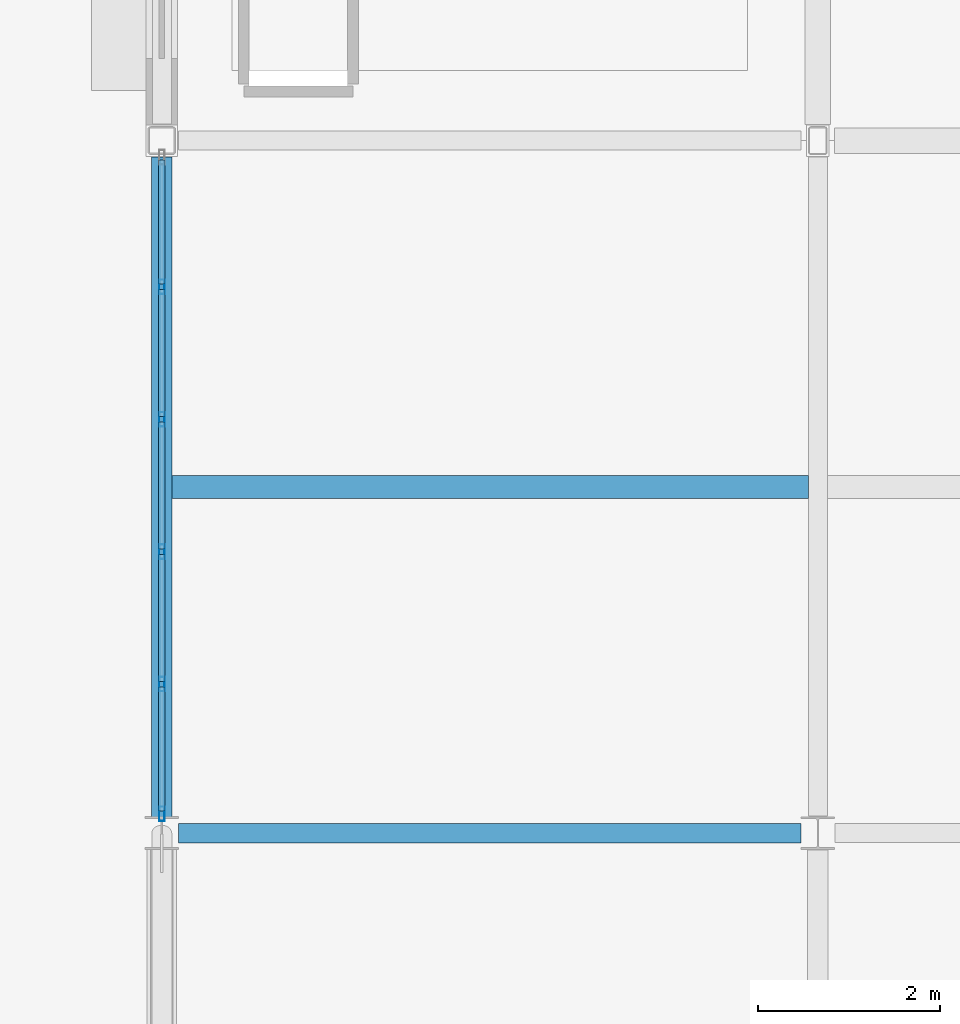
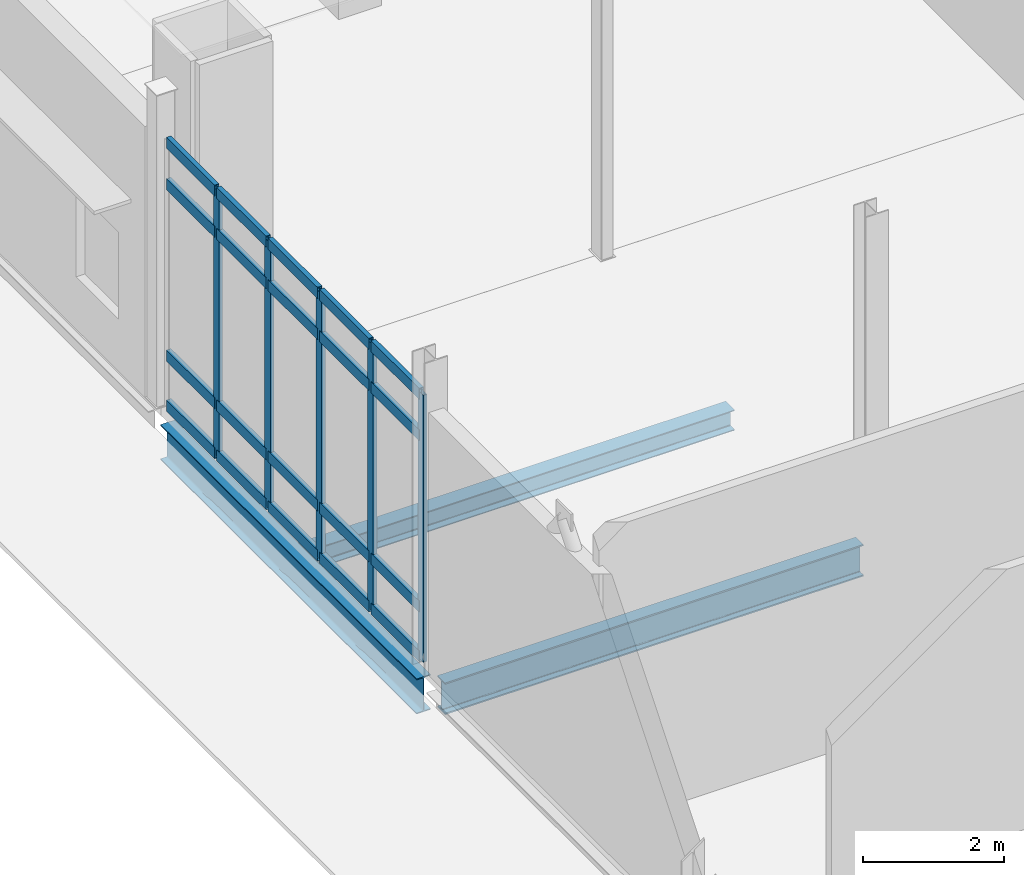
# One storey, part 66 of 229: 25 members, 3 beams, 1 element without a shape of its own.
"""IFC4 building model written with IfcOpenShell, lengths in metres."""

from ifc_helpers import new_model, si_unit, direction, frame, origin, origin_2d, place, context, subcontext, project, spatial, hollow_rectangle, i_section, extrude, material, layer, layer_set, material_profile, profile_set, type_object, element, aggregate, save


model = new_model("IFC4")

# Units and contexts
model_context = context("Model", 3, precision=1e-05, world=origin(), true_north=direction((0.0, 1.0)))
body_context = subcontext(model_context, "Body", "Model", "MODEL_VIEW")
ifc_project = project(units=[si_unit("LENGTHUNIT", "METRE"), si_unit("AREAUNIT", "SQUARE_METRE"), si_unit("VOLUMEUNIT", "CUBIC_METRE"), si_unit("PLANEANGLEUNIT", "RADIAN"), si_unit("MASSUNIT", "GRAM", prefix="KILO")], contexts=[model_context])

# Site, building, storey
site_placement = place(None, origin())
site = spatial("IfcSite", under=ifc_project, at=site_placement, CompositionType="ELEMENT")
building_placement = place(site_placement, origin())
building = spatial("IfcBuilding", under=site, at=building_placement, Name="Calvrana Isthmian Art Gallery", CompositionType="ELEMENT")
storey_placement = place(building_placement, origin())
storey = spatial("IfcBuildingStorey", under=building, at=storey_placement, Name="L00", CompositionType="ELEMENT", Elevation=0.0)

# Beams
ifc_material_1 = material(Name="Steel ASTM A992 Gr 50", Category="steel")
ifc_material_profile_1 = material_profile(ifc_material_1, i_section(OverallWidth=0.214111328125, OverallDepth=0.549072265625, WebThickness=0.0146484375, FlangeThickness=0.023681640625, FilletRadius=0.02099609375, at=origin_2d()), Name="W21X93")
ifc_profile_set_1 = profile_set([ifc_material_profile_1], Name="Steel ASTM A992 Gr 50")
beam_type_1 = type_object("IfcBeamType", Name="BM-G-W21X93", PredefinedType="BEAM", material=ifc_profile_set_1)
beam_1_placement = place(storey_placement, frame((0.18408203125, 62.0, -0.5595703125), z_axis=(1.0, 0.0, 0.0), x_axis=(0.0, 1.0, 0.0)))
element("IfcBeam", 1, at=beam_1_placement, inside=storey, type_object=beam_type_1, Name="Girder X L00 01-02/I", PredefinedType="BEAM", context=body_context, shape_type="SweptSolid", body=[
    extrude(i_section(OverallWidth=0.214111328125, OverallDepth=0.549072265625, WebThickness=0.0146484375, FlangeThickness=0.023681640625, FilletRadius=0.02099609375, at=origin_2d()), origin(), (0.0, 0.0, 1.0), 6.829345703125),
])
ifc_material_profile_2 = material_profile(ifc_material_1, i_section(OverallWidth=0.22802734375, OverallDepth=0.60693359375, WebThickness=0.01123046875, FlangeThickness=0.017333984375, FilletRadius=0.02197265625, at=origin_2d()), Name="W24X76")
ifc_profile_set_2 = profile_set([ifc_material_profile_2], Name="Steel ASTM A992 Gr 50")
beam_type_2 = type_object("IfcBeamType", Name="BM-G-W24X76", PredefinedType="BEAM", material=ifc_profile_set_2)
beam_2_placement = place(storey_placement, frame((0.0, 62.177978515625, -0.58837890625), z_axis=(0.0, 1.0, 0.0), x_axis=(-1.0, 0.0, 0.0)))
element("IfcBeam", 2, at=beam_2_placement, inside=storey, type_object=beam_type_2, Name="Girder Y L00 01/I-J", PredefinedType="BEAM", context=body_context, shape_type="SweptSolid", body=[
    extrude(i_section(OverallWidth=0.22802734375, OverallDepth=0.60693359375, WebThickness=0.01123046875, FlangeThickness=0.017333984375, FilletRadius=0.02197265625, at=origin_2d()), origin(), (0.0, 0.0, 1.0), 7.240478515625),
])
ifc_material_profile_3 = material_profile(ifc_material_1, i_section(OverallWidth=0.25390625, OverallDepth=0.35302734375, WebThickness=0.009521484375, FlangeThickness=0.016357421875, FilletRadius=0.01806640625, at=origin_2d()), Name="W14X61")
ifc_profile_set_3 = profile_set([ifc_material_profile_3], Name="Steel ASTM A992 Gr 50")
beam_type_3 = type_object("IfcBeamType", Name="BM-J-W14X61", PredefinedType="JOIST", material=ifc_profile_set_3)
beam_3_placement = place(storey_placement, frame((0.114013671875, 65.800048828125, -0.46142578125), z_axis=(1.0, 0.0, 0.0), x_axis=(0.0, 1.0, 0.0)))
element("IfcBeam", 3, at=beam_3_placement, inside=storey, type_object=beam_type_3, Name="Composite joist L00 bay 00-08", PredefinedType="JOIST", context=body_context, shape_type="SweptSolid", body=[
    extrude(i_section(OverallWidth=0.25390625, OverallDepth=0.35302734375, WebThickness=0.009521484375, FlangeThickness=0.016357421875, FilletRadius=0.01806640625, at=origin_2d()), origin(), (0.0, 0.0, 1.0), 6.9814453125),
])

# Curtain wall, members
ifc_material_2 = material(Name="Anodized bronze aluminium 6063-T6", Category="aluminium")
ifc_layer = layer(ifc_material_2, 0.179931640625, Name="Anodized bronze aluminium 6063-T6")
ifc_layer_set = layer_set([ifc_layer], Name="Anodized bronze aluminium 6063-T6")
curtain_wall_type = type_object("IfcCurtainWallType", Name="CW-STICK-073X46", PredefinedType="NOTDEFINED", material=ifc_layer_set)
curtain_wall_placement = place(storey_placement, origin())
curtain_wall = element("IfcCurtainWall", 4, at=curtain_wall_placement, inside=storey, type_object=curtain_wall_type, Name="Curtain wall CW-049", PredefinedType="NOTDEFINED")
ifc_material_profile_4 = material_profile(ifc_material_2, hollow_rectangle(XDim=0.06005859375, YDim=0.159912109375, WallThickness=0.00390625, at=origin_2d()), Name="CWM60X160")
ifc_profile_set_4 = profile_set([ifc_material_profile_4], Name="Anodized bronze aluminium 6063-T6")
member_type_1 = type_object("IfcMemberType", Name="CWM-CWM60X160", PredefinedType="MULLION", material=ifc_profile_set_4)
member_1_placement = place(storey_placement, frame((0.0, 62.21142578125, 0.0), z_axis=(0.0, 0.0, 1.0), x_axis=(-1.0, 0.0, 0.0)))
member_1 = element("IfcMember", 5, at=member_1_placement, type_object=member_type_1, Name="CW-049 mullion 1", PredefinedType="MULLION", context=body_context, shape_type="SweptSolid", body=[
    extrude(hollow_rectangle(XDim=0.06005859375, YDim=0.159912109375, WallThickness=0.00390625, at=origin_2d()), origin(), (0.0, 0.0, 1.0), 4.60693359375),
])
member_2_placement = place(storey_placement, frame((0.0, 63.634765625, 0.0), z_axis=(0.0, 0.0, 1.0), x_axis=(-1.0, 0.0, 0.0)))
member_2 = element("IfcMember", 6, at=member_2_placement, type_object=member_type_1, Name="CW-049 mullion 2", PredefinedType="MULLION", context=body_context, shape_type="SweptSolid", body=[
    extrude(hollow_rectangle(XDim=0.06005859375, YDim=0.159912109375, WallThickness=0.00390625, at=origin_2d()), origin(), (0.0, 0.0, 1.0), 4.60693359375),
])
member_3_placement = place(storey_placement, frame((0.0, 65.087890625, 0.0), z_axis=(0.0, 0.0, 1.0), x_axis=(-1.0, 0.0, 0.0)))
member_3 = element("IfcMember", 7, at=member_3_placement, type_object=member_type_1, Name="CW-049 mullion 3", PredefinedType="MULLION", context=body_context, shape_type="SweptSolid", body=[
    extrude(hollow_rectangle(XDim=0.06005859375, YDim=0.159912109375, WallThickness=0.00390625, at=origin_2d()), origin(), (0.0, 0.0, 1.0), 4.60693359375),
])
member_4_placement = place(storey_placement, frame((0.0, 66.541259765625, 0.0), z_axis=(0.0, 0.0, 1.0), x_axis=(-1.0, 0.0, 0.0)))
member_4 = element("IfcMember", 8, at=member_4_placement, type_object=member_type_1, Name="CW-049 mullion 4", PredefinedType="MULLION", context=body_context, shape_type="SweptSolid", body=[
    extrude(hollow_rectangle(XDim=0.06005859375, YDim=0.159912109375, WallThickness=0.00390625, at=origin_2d()), origin(), (0.0, 0.0, 1.0), 4.60693359375),
])
member_5_placement = place(storey_placement, frame((0.0, 67.994384765625, 0.0), z_axis=(0.0, 0.0, 1.0), x_axis=(-1.0, 0.0, 0.0)))
member_5 = element("IfcMember", 9, at=member_5_placement, type_object=member_type_1, Name="CW-049 mullion 5", PredefinedType="MULLION", context=body_context, shape_type="SweptSolid", body=[
    extrude(hollow_rectangle(XDim=0.06005859375, YDim=0.159912109375, WallThickness=0.00390625, at=origin_2d()), origin(), (0.0, 0.0, 1.0), 4.60693359375),
])
ifc_material_profile_5 = material_profile(ifc_material_2, hollow_rectangle(XDim=0.074951171875, YDim=0.18994140625, WallThickness=0.00439453125, at=origin_2d()), Name="CWT75X190")
ifc_profile_set_5 = profile_set([ifc_material_profile_5], Name="Anodized bronze aluminium 6063-T6")
member_type_2 = type_object("IfcMemberType", Name="CWT-CWT75X190", PredefinedType="USERDEFINED", material=ifc_profile_set_5)
member_6_placement = place(storey_placement, frame((0.0, 62.241455078125, 0.03759765625), z_axis=(0.0, 1.0, 0.0), x_axis=(-1.0, 0.0, 0.0)))
member_6 = element("IfcMember", 10, at=member_6_placement, type_object=member_type_2, Name="CW-049 transom 1.1", ObjectType="TRANSOM", PredefinedType="USERDEFINED", context=body_context, shape_type="SweptSolid", body=[
    extrude(hollow_rectangle(XDim=0.074951171875, YDim=0.18994140625, WallThickness=0.00439453125, at=origin_2d()), origin(), (0.0, 0.0, 1.0), 1.36328125),
])
member_7_placement = place(storey_placement, frame((0.0, 62.241455078125, 0.89990234375), z_axis=(0.0, 1.0, 0.0), x_axis=(-1.0, 0.0, 0.0)))
member_7 = element("IfcMember", 11, at=member_7_placement, type_object=member_type_2, Name="CW-049 transom 1.2", ObjectType="TRANSOM", PredefinedType="USERDEFINED", context=body_context, shape_type="SweptSolid", body=[
    extrude(hollow_rectangle(XDim=0.074951171875, YDim=0.18994140625, WallThickness=0.00439453125, at=origin_2d()), origin(), (0.0, 0.0, 1.0), 1.36328125),
])
member_8_placement = place(storey_placement, frame((0.0, 62.241455078125, 3.85693359375), z_axis=(0.0, 1.0, 0.0), x_axis=(-1.0, 0.0, 0.0)))
member_8 = element("IfcMember", 12, at=member_8_placement, type_object=member_type_2, Name="CW-049 transom 1.3", ObjectType="TRANSOM", PredefinedType="USERDEFINED", context=body_context, shape_type="SweptSolid", body=[
    extrude(hollow_rectangle(XDim=0.074951171875, YDim=0.18994140625, WallThickness=0.00439453125, at=origin_2d()), origin(), (0.0, 0.0, 1.0), 1.36328125),
])
member_9_placement = place(storey_placement, frame((0.0, 62.241455078125, 4.569580078125), z_axis=(0.0, 1.0, 0.0), x_axis=(-1.0, 0.0, 0.0)))
member_9 = element("IfcMember", 13, at=member_9_placement, type_object=member_type_2, Name="CW-049 transom 1.4", ObjectType="TRANSOM", PredefinedType="USERDEFINED", context=body_context, shape_type="SweptSolid", body=[
    extrude(hollow_rectangle(XDim=0.074951171875, YDim=0.18994140625, WallThickness=0.00439453125, at=origin_2d()), origin(), (0.0, 0.0, 1.0), 1.36328125),
])
member_10_placement = place(storey_placement, frame((0.0, 63.664794921875, 0.03759765625), z_axis=(0.0, 1.0, 0.0), x_axis=(-1.0, 0.0, 0.0)))
member_10 = element("IfcMember", 14, at=member_10_placement, type_object=member_type_2, Name="CW-049 transom 2.1", ObjectType="TRANSOM", PredefinedType="USERDEFINED", context=body_context, shape_type="SweptSolid", body=[
    extrude(hollow_rectangle(XDim=0.074951171875, YDim=0.18994140625, WallThickness=0.00439453125, at=origin_2d()), origin(), (0.0, 0.0, 1.0), 1.39306640625),
])
member_11_placement = place(storey_placement, frame((0.0, 63.664794921875, 0.89990234375), z_axis=(0.0, 1.0, 0.0), x_axis=(-1.0, 0.0, 0.0)))
member_11 = element("IfcMember", 15, at=member_11_placement, type_object=member_type_2, Name="CW-049 transom 2.2", ObjectType="TRANSOM", PredefinedType="USERDEFINED", context=body_context, shape_type="SweptSolid", body=[
    extrude(hollow_rectangle(XDim=0.074951171875, YDim=0.18994140625, WallThickness=0.00439453125, at=origin_2d()), origin(), (0.0, 0.0, 1.0), 1.39306640625),
])
member_12_placement = place(storey_placement, frame((0.0, 63.664794921875, 3.85693359375), z_axis=(0.0, 1.0, 0.0), x_axis=(-1.0, 0.0, 0.0)))
member_12 = element("IfcMember", 16, at=member_12_placement, type_object=member_type_2, Name="CW-049 transom 2.3", ObjectType="TRANSOM", PredefinedType="USERDEFINED", context=body_context, shape_type="SweptSolid", body=[
    extrude(hollow_rectangle(XDim=0.074951171875, YDim=0.18994140625, WallThickness=0.00439453125, at=origin_2d()), origin(), (0.0, 0.0, 1.0), 1.39306640625),
])
member_13_placement = place(storey_placement, frame((0.0, 63.664794921875, 4.569580078125), z_axis=(0.0, 1.0, 0.0), x_axis=(-1.0, 0.0, 0.0)))
member_13 = element("IfcMember", 17, at=member_13_placement, type_object=member_type_2, Name="CW-049 transom 2.4", ObjectType="TRANSOM", PredefinedType="USERDEFINED", context=body_context, shape_type="SweptSolid", body=[
    extrude(hollow_rectangle(XDim=0.074951171875, YDim=0.18994140625, WallThickness=0.00439453125, at=origin_2d()), origin(), (0.0, 0.0, 1.0), 1.39306640625),
])
member_14_placement = place(storey_placement, frame((0.0, 65.117919921875, 0.03759765625), z_axis=(0.0, 1.0, 0.0), x_axis=(-1.0, 0.0, 0.0)))
member_14 = element("IfcMember", 18, at=member_14_placement, type_object=member_type_2, Name="CW-049 transom 3.1", ObjectType="TRANSOM", PredefinedType="USERDEFINED", context=body_context, shape_type="SweptSolid", body=[
    extrude(hollow_rectangle(XDim=0.074951171875, YDim=0.18994140625, WallThickness=0.00439453125, at=origin_2d()), origin(), (0.0, 0.0, 1.0), 1.393310546875),
])
member_15_placement = place(storey_placement, frame((0.0, 65.117919921875, 0.89990234375), z_axis=(0.0, 1.0, 0.0), x_axis=(-1.0, 0.0, 0.0)))
member_15 = element("IfcMember", 19, at=member_15_placement, type_object=member_type_2, Name="CW-049 transom 3.2", ObjectType="TRANSOM", PredefinedType="USERDEFINED", context=body_context, shape_type="SweptSolid", body=[
    extrude(hollow_rectangle(XDim=0.074951171875, YDim=0.18994140625, WallThickness=0.00439453125, at=origin_2d()), origin(), (0.0, 0.0, 1.0), 1.393310546875),
])
member_16_placement = place(storey_placement, frame((0.0, 65.117919921875, 3.85693359375), z_axis=(0.0, 1.0, 0.0), x_axis=(-1.0, 0.0, 0.0)))
member_16 = element("IfcMember", 20, at=member_16_placement, type_object=member_type_2, Name="CW-049 transom 3.3", ObjectType="TRANSOM", PredefinedType="USERDEFINED", context=body_context, shape_type="SweptSolid", body=[
    extrude(hollow_rectangle(XDim=0.074951171875, YDim=0.18994140625, WallThickness=0.00439453125, at=origin_2d()), origin(), (0.0, 0.0, 1.0), 1.393310546875),
])
member_17_placement = place(storey_placement, frame((0.0, 65.117919921875, 4.569580078125), z_axis=(0.0, 1.0, 0.0), x_axis=(-1.0, 0.0, 0.0)))
member_17 = element("IfcMember", 21, at=member_17_placement, type_object=member_type_2, Name="CW-049 transom 3.4", ObjectType="TRANSOM", PredefinedType="USERDEFINED", context=body_context, shape_type="SweptSolid", body=[
    extrude(hollow_rectangle(XDim=0.074951171875, YDim=0.18994140625, WallThickness=0.00439453125, at=origin_2d()), origin(), (0.0, 0.0, 1.0), 1.393310546875),
])
member_18_placement = place(storey_placement, frame((0.0, 66.571044921875, 0.03759765625), z_axis=(0.0, 1.0, 0.0), x_axis=(-1.0, 0.0, 0.0)))
member_18 = element("IfcMember", 22, at=member_18_placement, type_object=member_type_2, Name="CW-049 transom 4.1", ObjectType="TRANSOM", PredefinedType="USERDEFINED", context=body_context, shape_type="SweptSolid", body=[
    extrude(hollow_rectangle(XDim=0.074951171875, YDim=0.18994140625, WallThickness=0.00439453125, at=origin_2d()), origin(), (0.0, 0.0, 1.0), 1.393310546875),
])
member_19_placement = place(storey_placement, frame((0.0, 66.571044921875, 0.89990234375), z_axis=(0.0, 1.0, 0.0), x_axis=(-1.0, 0.0, 0.0)))
member_19 = element("IfcMember", 23, at=member_19_placement, type_object=member_type_2, Name="CW-049 transom 4.2", ObjectType="TRANSOM", PredefinedType="USERDEFINED", context=body_context, shape_type="SweptSolid", body=[
    extrude(hollow_rectangle(XDim=0.074951171875, YDim=0.18994140625, WallThickness=0.00439453125, at=origin_2d()), origin(), (0.0, 0.0, 1.0), 1.393310546875),
])
member_20_placement = place(storey_placement, frame((0.0, 66.571044921875, 3.85693359375), z_axis=(0.0, 1.0, 0.0), x_axis=(-1.0, 0.0, 0.0)))
member_20 = element("IfcMember", 24, at=member_20_placement, type_object=member_type_2, Name="CW-049 transom 4.3", ObjectType="TRANSOM", PredefinedType="USERDEFINED", context=body_context, shape_type="SweptSolid", body=[
    extrude(hollow_rectangle(XDim=0.074951171875, YDim=0.18994140625, WallThickness=0.00439453125, at=origin_2d()), origin(), (0.0, 0.0, 1.0), 1.393310546875),
])
member_21_placement = place(storey_placement, frame((0.0, 66.571044921875, 4.569580078125), z_axis=(0.0, 1.0, 0.0), x_axis=(-1.0, 0.0, 0.0)))
member_21 = element("IfcMember", 25, at=member_21_placement, type_object=member_type_2, Name="CW-049 transom 4.4", ObjectType="TRANSOM", PredefinedType="USERDEFINED", context=body_context, shape_type="SweptSolid", body=[
    extrude(hollow_rectangle(XDim=0.074951171875, YDim=0.18994140625, WallThickness=0.00439453125, at=origin_2d()), origin(), (0.0, 0.0, 1.0), 1.393310546875),
])
member_22_placement = place(storey_placement, frame((0.0, 68.0244140625, 0.03759765625), z_axis=(0.0, 1.0, 0.0), x_axis=(-1.0, 0.0, 0.0)))
member_22 = element("IfcMember", 26, at=member_22_placement, type_object=member_type_2, Name="CW-049 transom 5.1", ObjectType="TRANSOM", PredefinedType="USERDEFINED", context=body_context, shape_type="SweptSolid", body=[
    extrude(hollow_rectangle(XDim=0.074951171875, YDim=0.18994140625, WallThickness=0.00439453125, at=origin_2d()), origin(), (0.0, 0.0, 1.0), 1.36328125),
])
member_23_placement = place(storey_placement, frame((0.0, 68.0244140625, 0.89990234375), z_axis=(0.0, 1.0, 0.0), x_axis=(-1.0, 0.0, 0.0)))
member_23 = element("IfcMember", 27, at=member_23_placement, type_object=member_type_2, Name="CW-049 transom 5.2", ObjectType="TRANSOM", PredefinedType="USERDEFINED", context=body_context, shape_type="SweptSolid", body=[
    extrude(hollow_rectangle(XDim=0.074951171875, YDim=0.18994140625, WallThickness=0.00439453125, at=origin_2d()), origin(), (0.0, 0.0, 1.0), 1.36328125),
])
member_24_placement = place(storey_placement, frame((0.0, 68.0244140625, 3.85693359375), z_axis=(0.0, 1.0, 0.0), x_axis=(-1.0, 0.0, 0.0)))
member_24 = element("IfcMember", 28, at=member_24_placement, type_object=member_type_2, Name="CW-049 transom 5.3", ObjectType="TRANSOM", PredefinedType="USERDEFINED", context=body_context, shape_type="SweptSolid", body=[
    extrude(hollow_rectangle(XDim=0.074951171875, YDim=0.18994140625, WallThickness=0.00439453125, at=origin_2d()), origin(), (0.0, 0.0, 1.0), 1.36328125),
])
member_25_placement = place(storey_placement, frame((0.0, 68.0244140625, 4.569580078125), z_axis=(0.0, 1.0, 0.0), x_axis=(-1.0, 0.0, 0.0)))
member_25 = element("IfcMember", 29, at=member_25_placement, type_object=member_type_2, Name="CW-049 transom 5.4", ObjectType="TRANSOM", PredefinedType="USERDEFINED", context=body_context, shape_type="SweptSolid", body=[
    extrude(hollow_rectangle(XDim=0.074951171875, YDim=0.18994140625, WallThickness=0.00439453125, at=origin_2d()), origin(), (0.0, 0.0, 1.0), 1.36328125),
])
aggregate(curtain_wall, [member_1, member_2, member_3, member_4, member_5, member_6, member_7, member_8, member_9, member_10, member_11, member_12, member_13, member_14, member_15, member_16, member_17, member_18, member_19, member_20, member_21, member_22, member_23, member_24, member_25])

save(model, "model.ifc")
